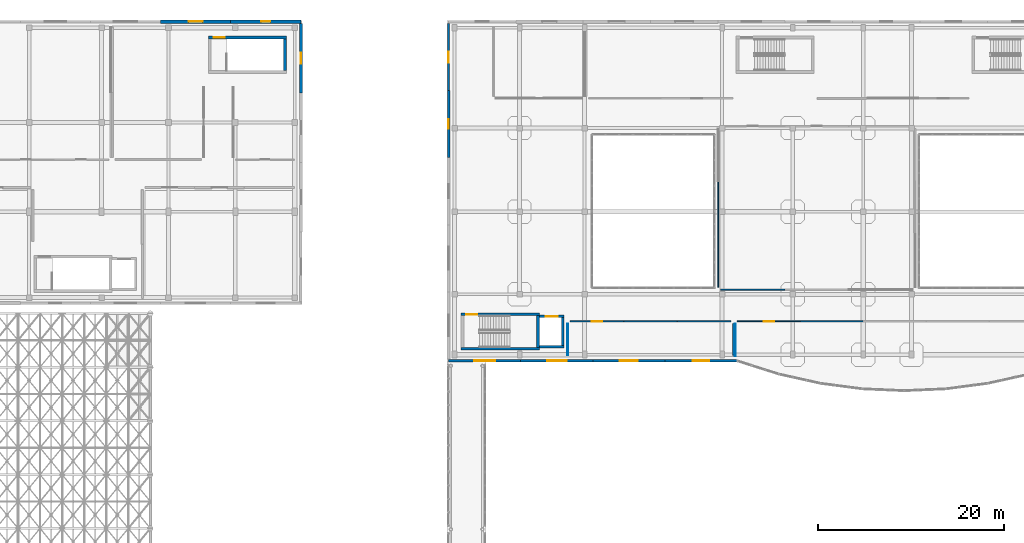
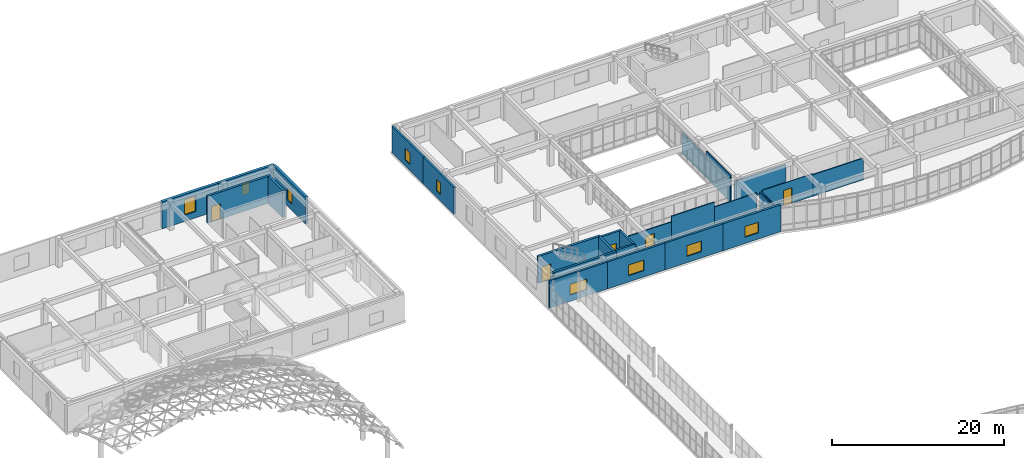
# One storey, part 136 of 146: 28 walls, 9 windows, 5 doors, 14 openings.
"""IFC4 building model written with IfcOpenShell, lengths in metres."""

import ifcopenshell
import ifcopenshell.guid

model = None  # the IFC model being written
_history = None  # IfcOwnerHistory: only IFC2X3 demands one
_inside = {}  # id of a spatial element -> (the spatial element, [elements in it])
_under = {}  # id of a project, library or spatial element -> (it, [spatial elements below it])
_declared = {}  # id of a project -> (the project, [libraries it declares])
_typed = {}  # id of a type object -> (the type object, [elements of that type])
_made_of = {}  # id of a material, layer set ... -> (it, [elements and type objects made of it])


def new_model(schema):
    """Start an empty IFC model of exactly this schema.

    Asked for "IFC4X3", IfcOpenShell would pick the latest addendum, in which some entities
    have other attributes; the version numbers below select the first issue.
    IFC2X3 requires an IfcOwnerHistory on every rooted entity: one is made here for all.
    """
    global model, _history
    if schema == "IFC4X3":
        model = ifcopenshell.file(schema_version=(4, 3, 0, 0))
    else:
        model = ifcopenshell.file(schema=schema)
    _inside.clear()
    _under.clear()
    _declared.clear()
    _typed.clear()
    _made_of.clear()
    _history = None
    if model.schema == "IFC2X3":
        org = make("IfcOrganization", Name="unknown")
        user = make(
            "IfcPersonAndOrganization",
            ThePerson=make("IfcPerson", FamilyName="unknown"),
            TheOrganization=org,
        )
        app = make(
            "IfcApplication",
            ApplicationDeveloper=org,
            Version="unknown",
            ApplicationFullName="unknown",
            ApplicationIdentifier="unknown",
        )
        _history = make(
            "IfcOwnerHistory",
            OwningUser=user,
            OwningApplication=app,
            ChangeAction="ADDED",
            CreationDate=0,
        )
    return model


def make(cls, **values):
    """One entity of the class cls with the attributes given. An attribute that is None is left unset."""
    return model.create_entity(
        cls, **{name: value for name, value in values.items() if value is not None}
    )


def rooted(cls, **values):
    """An entity with a GlobalId (a new one), such as an element, a storey or a relation."""
    return make(cls, GlobalId=ifcopenshell.guid.new(), OwnerHistory=_history, **values)


def si_unit(unit_type, name, prefix=None):
    """IfcSIUnit, for example si_unit("LENGTHUNIT", "METRE", prefix="MILLI")."""
    return make("IfcSIUnit", UnitType=unit_type, Prefix=prefix, Name=name)


def assignment(units):
    """IfcUnitAssignment: the units of a project."""
    return None if units is None else make("IfcUnitAssignment", Units=units)


def point(xyz):
    """IfcCartesianPoint."""
    return None if xyz is None else make("IfcCartesianPoint", Coordinates=xyz)


def direction(xyz):
    """IfcDirection."""
    return None if xyz is None else make("IfcDirection", DirectionRatios=xyz)


def frame(location, z_axis=None, x_axis=None):
    """IfcAxis2Placement3D, a coordinate frame: its origin and axes. An axis left out is left unset."""
    return make(
        "IfcAxis2Placement3D",
        Location=point(location),
        Axis=direction(z_axis),
        RefDirection=direction(x_axis),
    )


def frame_2d(location, x_axis=None):
    """IfcAxis2Placement2D, a coordinate frame in the plane: its origin and x axis."""
    return make(
        "IfcAxis2Placement2D", Location=point(location), RefDirection=direction(x_axis)
    )


def origin():
    """The frame at (0, 0, 0) with its axes left unset."""
    return frame((0.0, 0.0, 0.0))


def place(relative_to, where):
    """IfcLocalPlacement: puts the frame where relative to a parent placement (None: the world)."""
    return make(
        "IfcLocalPlacement", PlacementRelTo=relative_to, RelativePlacement=where
    )


def context(
    kind, dimensions, precision=None, world=None, true_north=None, identifier=None
):
    """IfcGeometricRepresentationContext, for example the 3D "Model" context."""
    return make(
        "IfcGeometricRepresentationContext",
        ContextIdentifier=identifier,
        ContextType=kind,
        CoordinateSpaceDimension=dimensions,
        Precision=precision,
        WorldCoordinateSystem=world,
        TrueNorth=true_north,
    )


def subcontext(parent, identifier, kind, view, scale=None):
    """IfcGeometricRepresentationSubContext, for example "Body" below "Model"."""
    return make(
        "IfcGeometricRepresentationSubContext",
        ContextIdentifier=identifier,
        ContextType=kind,
        ParentContext=parent,
        TargetScale=scale,
        TargetView=view,
    )


def project(units=None, contexts=None):
    """IfcProject with its units and contexts."""
    return rooted(
        "IfcProject",
        Name="project",
        RepresentationContexts=contexts,
        UnitsInContext=assignment(units),
    )


def spatial(cls, under=None, at=None, **own):
    """A site, building, storey or space (cls), placed at a placement, below another one or the project."""
    s = rooted(cls, ObjectPlacement=at, **own)
    if under is not None:
        _under.setdefault(under.id(), (under, []))[1].append(s)
    return s


def profile(cls, at=None, kind="AREA", **sizes):
    """A parametric profile (cls). Its sizes go by their IFC names, for example OverallWidth=200.0."""
    return make(cls, ProfileType=kind, Position=at, **sizes)


def rectangle(**sizes):
    """IfcRectangleProfileDef."""
    return profile("IfcRectangleProfileDef", **sizes)


def extrude(swept, where, along, depth):
    """IfcExtrudedAreaSolid: the profile swept, set in the frame where, extruded along a direction by depth."""
    return make(
        "IfcExtrudedAreaSolid",
        SweptArea=swept,
        Position=where,
        ExtrudedDirection=direction(along),
        Depth=depth,
    )


def shape(context_of_items, identifier, shape_type, items):
    """IfcShapeRepresentation: the items that make up one representation, for example the "Body"."""
    return make(
        "IfcShapeRepresentation",
        ContextOfItems=context_of_items,
        RepresentationIdentifier=identifier,
        RepresentationType=shape_type,
        Items=items,
    )


def material(Name=None, Category=None):
    """IfcMaterial."""
    return make("IfcMaterial", Name=Name, Category=Category)


def layer(
    of_material, thickness, ventilated=None, Name=None, Category=None, Priority=None
):
    """IfcMaterialLayer: one layer of a wall or slab, of a material (None: an air gap)."""
    return make(
        "IfcMaterialLayer",
        Material=of_material,
        LayerThickness=thickness,
        IsVentilated=ventilated,
        Name=Name,
        Category=Category,
        Priority=Priority,
    )


def layer_set(layers, Name=None):
    """IfcMaterialLayerSet."""
    return make("IfcMaterialLayerSet", MaterialLayers=layers, LayerSetName=Name)


def made_of(thing, what):
    """Note that an element or type object is made of a material, layer set ...; save() writes the relation."""
    if what is not None:
        _made_of.setdefault(what.id(), (what, []))[1].append(thing)
    return thing


def type_object(cls, material=None, **own):
    """A type object (cls), such as IfcWallType, which elements share."""
    return made_of(rooted(cls, **own), material)


def element(
    cls,
    number,
    at=None,
    inside=None,
    cuts=None,
    type_object=None,
    material=None,
    context=None,
    identifier="Body",
    shape_type=None,
    held_by="IfcProductDefinitionShape",
    body=None,
    shapes=None,
    **own,
):
    """One element of the class cls, such as IfcWall. Its Tag is "e" and its number.

    at: its placement. inside: the storey or other place that contains it. cuts: it is an
    opening in that element (IfcRelVoidsElement). A single representation is given by context,
    identifier, shape_type and body (its items); several are given by shapes. held_by: the class
    of the entity that holds the representations. save() writes the other relations.
    """
    e = rooted(cls, Tag="e%d" % number, ObjectPlacement=at, **own)
    if body is not None:
        shapes = [shape(context, identifier, shape_type, body)]
    if shapes is not None:
        e.Representation = make(held_by, Representations=shapes)
    if inside is not None:
        _inside.setdefault(inside.id(), (inside, []))[1].append(e)
    if cuts is not None:
        rooted(
            "IfcRelVoidsElement", RelatingBuildingElement=cuts, RelatedOpeningElement=e
        )
    if type_object is not None:
        _typed.setdefault(type_object.id(), (type_object, []))[1].append(e)
    return made_of(e, material)


def fill(opening, filler):
    """IfcRelFillsElement: the door or window that sits in an opening."""
    return rooted(
        "IfcRelFillsElement",
        RelatingOpeningElement=opening,
        RelatedBuildingElement=filler,
    )


def aggregate(whole, parts):
    """IfcRelAggregates: a whole, such as a stair, and the parts it consists of."""
    return rooted("IfcRelAggregates", RelatingObject=whole, RelatedObjects=parts)


def save(model, path):
    """Write the relations noted so far, then the file.

    IfcRelAggregates (storeys below a building ...), IfcRelContainedInSpatialStructure (elements
    in a storey), IfcRelDefinesByType, IfcRelAssociatesMaterial and IfcRelDeclares: one each for
    every whole, place, type object, material and project.
    """
    for whole, parts in _under.values():
        aggregate(whole, parts)
    for where, things in _inside.values():
        rooted(
            "IfcRelContainedInSpatialStructure",
            RelatedElements=things,
            RelatingStructure=where,
        )
    for kind, things in _typed.values():
        rooted("IfcRelDefinesByType", RelatedObjects=things, RelatingType=kind)
    for what, things in _made_of.values():
        rooted("IfcRelAssociatesMaterial", RelatedObjects=things, RelatingMaterial=what)
    for by, libraries in _declared.values():
        rooted("IfcRelDeclares", RelatingContext=by, RelatedDefinitions=libraries)
    model.write(path)


model = new_model("IFC4")

# Units and contexts
model_context = context("Model", 3, precision=1e-05, world=origin(), true_north=direction((0.0, 1.0)))
body_context = subcontext(model_context, "Body", "Model", "MODEL_VIEW")
ifc_project = project(units=[si_unit("LENGTHUNIT", "METRE"), si_unit("AREAUNIT", "SQUARE_METRE"), si_unit("VOLUMEUNIT", "CUBIC_METRE"), si_unit("PLANEANGLEUNIT", "RADIAN"), si_unit("MASSUNIT", "GRAM", prefix="KILO")], contexts=[model_context])

# Site, building, storey
site_placement = place(None, origin())
site = spatial("IfcSite", under=ifc_project, at=site_placement, CompositionType="ELEMENT")
building_placement = place(site_placement, origin())
building = spatial("IfcBuilding", under=site, at=building_placement, Name="Valcora Specialist Clinic", CompositionType="ELEMENT")
storey_placement = place(building_placement, frame((0.0, 0.0, 9.52001953125)))
storey = spatial("IfcBuildingStorey", under=building, at=storey_placement, Name="L02", CompositionType="ELEMENT", Elevation=9.52001953125)

# Wall, opening, door
ifc_material_1 = material(Name="Concrete C40/50", Category="concrete")
ifc_layer_1 = layer(ifc_material_1, 0.300048828125)
ifc_layer_set_1 = layer_set([ifc_layer_1], Name="Concrete C40/50")
wall_type_1 = type_object("IfcWallType", Name="TY-WL-CR300", PredefinedType="SHEAR", material=ifc_layer_set_1)
wall_1_placement = place(storey_placement, frame((35.5, 108.949951171875, 0.0), z_axis=(0.0, 0.0, 1.0), x_axis=(1.0, 0.0, 0.0)))
wall_1 = element("IfcWall", 1, at=wall_1_placement, inside=storey, type_object=wall_type_1, Name="Core shear wall WL-CR-C-V2B-L02-N", PredefinedType="SHEAR", context=body_context, shape_type="SweptSolid", body=[
    extrude(rectangle(XDim=8.419921875, YDim=0.300048828125, at=frame_2d((4.2099609375, 0.0))), origin(), (0.0, 0.0, 1.0), 3.843017578125),
])
opening_1_placement = place(wall_1_placement, frame((0.550048828125, 0.0, 0.0)))
opening_1 = element("IfcOpeningElement", 2, at=opening_1_placement, cuts=wall_1, Name="Opening DR-FD-120", PredefinedType="OPENING", context=body_context, shape_type="SweptSolid", body=[
    extrude(rectangle(XDim=1.199951171875, YDim=2.199951171875, at=frame_2d((0.60009765625, 1.10009765625))), frame((0.0, 0.159912109375, 0.0), z_axis=(0.0, -1.0, 0.0), x_axis=(1.0, 0.0, 0.0)), (0.0, 0.0, 1.0), 0.320068359375),
])
ifc_material_2 = material(Name="Galvanized Hollow Metal Door Steel ASTM A653", Category="steel")
door_type_1 = type_object("IfcDoorType", Name="TY-DR-ST120", OperationType="NOTDEFINED", PredefinedType="DOOR", material=ifc_material_2)
door_1_placement = place(opening_1_placement, origin())
door_1 = element("IfcDoor", 3, at=door_1_placement, inside=storey, type_object=door_type_1, Name="Exit stair fire door C-V2B L02", OperationType="SINGLE_SWING_RIGHT", OverallHeight=2.199951171875, OverallWidth=1.199951171875, PredefinedType="DOOR", context=body_context, shape_type="SweptSolid", body=[
    extrude(rectangle(XDim=1.199951171875, YDim=2.199951171875, at=frame_2d((0.60009765625, 1.10009765625))), frame((0.0, 0.02490234375, 0.0), z_axis=(0.0, -1.0, 0.0), x_axis=(1.0, 0.0, 0.0)), (0.0, 0.0, 1.0), 0.050048828125),
])
fill(opening_1, door_1)

# Wall
wall_2_placement = place(storey_placement, frame((62.699951171875, 75.449951171875, 0.0), z_axis=(0.0, 0.0, 1.0), x_axis=(1.0, 0.0, 0.0)))
element("IfcWall", 4, at=wall_2_placement, inside=storey, type_object=wall_type_1, Name="Core shear wall WL-CR-C-V4A-L02-S", PredefinedType="SHEAR", context=body_context, shape_type="SweptSolid", body=[
    extrude(rectangle(XDim=8.420166015625, YDim=0.300048828125, at=frame_2d((4.2099609375, 0.0))), origin(), (0.0, 0.0, 1.0), 3.820068359375),
])

# Wall, opening, door
wall_3_placement = place(storey_placement, frame((62.699951171875, 79.14990234375, 0.0), z_axis=(0.0, 0.0, 1.0), x_axis=(1.0, 0.0, 0.0)))
wall_3 = element("IfcWall", 5, at=wall_3_placement, inside=storey, type_object=wall_type_1, Name="Core shear wall WL-CR-C-V4A-L02-N", PredefinedType="SHEAR", context=body_context, shape_type="SweptSolid", body=[
    extrude(rectangle(XDim=8.420166015625, YDim=0.300048828125, at=frame_2d((4.2099609375, 0.0))), origin(), (0.0, 0.0, 1.0), 3.820068359375),
])
opening_2_placement = place(wall_3_placement, frame((0.550048828125, 0.0, 0.0)))
opening_2 = element("IfcOpeningElement", 6, at=opening_2_placement, cuts=wall_3, Name="Opening DR-FD-120", PredefinedType="OPENING", context=body_context, shape_type="SweptSolid", body=[
    extrude(rectangle(XDim=1.199951171875, YDim=2.199951171875, at=frame_2d((0.60009765625, 1.10009765625))), frame((0.0, 0.159912109375, 0.0), z_axis=(0.0, -1.0, 0.0), x_axis=(1.0, 0.0, 0.0)), (0.0, 0.0, 1.0), 0.320068359375),
])
door_2_placement = place(opening_2_placement, origin())
door_2 = element("IfcDoor", 7, at=door_2_placement, inside=storey, type_object=door_type_1, Name="Exit stair fire door C-V4A L02", OperationType="SINGLE_SWING_LEFT", OverallHeight=2.199951171875, OverallWidth=1.199951171875, PredefinedType="DOOR", context=body_context, shape_type="SweptSolid", body=[
    extrude(rectangle(XDim=1.199951171875, YDim=2.199951171875, at=frame_2d((0.60009765625, 1.10009765625))), frame((0.0, 0.02490234375, 0.0), z_axis=(0.0, -1.0, 0.0), x_axis=(1.0, 0.0, 0.0)), (0.0, 0.0, 1.0), 0.050048828125),
])
fill(opening_2, door_2)

# Walls
ifc_layer_2 = layer(ifc_material_1, 0.320068359375)
ifc_layer_set_2 = layer_set([ifc_layer_2], Name="Concrete C40/50")
wall_type_2 = type_object("IfcWallType", Name="TY-WL-CR320", PredefinedType="SHEAR", material=ifc_layer_set_2)
wall_4_placement = place(storey_placement, frame((43.760009765625, 105.402099609375, 0.0), z_axis=(0.0, 0.0, 1.0), x_axis=(0.0, 1.0, 0.0)))
element("IfcWall", 8, at=wall_4_placement, inside=storey, type_object=wall_type_2, Name="Core shear wall WL-CR-C-V2B-L02-E", PredefinedType="SHEAR", context=body_context, shape_type="SweptSolid", body=[
    extrude(rectangle(XDim=3.39599609375, YDim=0.320068359375, at=frame_2d((1.697998046875, 0.0))), origin(), (0.0, 0.0, 1.0), 3.843017578125),
])
wall_5_placement = place(storey_placement, frame((70.9599609375, 75.60205078125, 0.0), z_axis=(0.0, 0.0, 1.0), x_axis=(0.0, 1.0, 0.0)))
element("IfcWall", 9, at=wall_5_placement, inside=storey, type_object=wall_type_2, Name="Core shear wall WL-CR-C-V4A-L02-E", PredefinedType="SHEAR", context=body_context, shape_type="SweptSolid", body=[
    extrude(rectangle(XDim=3.39599609375, YDim=0.320068359375, at=frame_2d((1.697998046875, 0.0))), origin(), (0.0, 0.0, 1.0), 3.820068359375),
])

# Wall, opening, window
ifc_material_3 = material(Name="Extruded Jalisco Clay Brick Masonry", Category="masonry")
ifc_layer_3 = layer(ifc_material_3, 0.25)
ifc_layer_set_3 = layer_set([ifc_layer_3], Name="Extruded Jalisco Clay Brick Masonry")
wall_type_3 = type_object("IfcWallType", Name="TY-WL-EW250", PredefinedType="SOLIDWALL", material=ifc_layer_set_3)
wall_6_placement = place(storey_placement, frame((61.35009765625, 103.236083984375, 0.0), z_axis=(0.0, 0.0, 1.0), x_axis=(0.0, 1.0, 0.0)))
wall_6 = element("IfcWall", 10, at=wall_6_placement, inside=storey, type_object=wall_type_3, Name="Exterior wall WL-EXT-L02-0179", PredefinedType="SOLIDWALL", context=body_context, shape_type="SweptSolid", body=[
    extrude(rectangle(XDim=7.223876953125, YDim=0.25, at=frame_2d((3.61181640625, 0.0))), origin(), (0.0, 0.0, 1.0), 3.820068359375),
])
opening_3_placement = place(wall_6_placement, frame((3.02197265625, 0.0, 0.89990234375)))
opening_3 = element("IfcOpeningElement", 11, at=opening_3_placement, cuts=wall_6, Name="Opening WN-32", PredefinedType="OPENING", context=body_context, shape_type="SweptSolid", body=[
    extrude(rectangle(XDim=1.179931640625, YDim=1.6201171875, at=frame_2d((0.58984375, 0.81005859375))), frame((0.0, 0.135009765625, 0.0), z_axis=(0.0, -1.0, 0.0), x_axis=(1.0, 0.0, 0.0)), (0.0, 0.0, 1.0), 0.27001953125),
])
ifc_material_4 = material(Name="Low-E Laminated Insulating Glass", Category="glass")
window_type_1 = type_object("IfcWindowType", Name="TY-WN-32", PartitioningType="SINGLE_PANEL", PredefinedType="WINDOW", material=ifc_material_4)
window_1_placement = place(opening_3_placement, origin())
window_1 = element("IfcWindow", 12, at=window_1_placement, inside=storey, type_object=window_type_1, Name="Facade window WN-L02-0158", OverallHeight=1.6201171875, OverallWidth=1.179931640625, PartitioningType="SINGLE_PANEL", PredefinedType="WINDOW", context=body_context, shape_type="SweptSolid", body=[
    extrude(rectangle(XDim=1.179931640625, YDim=1.6201171875, at=frame_2d((0.58984375, 0.81005859375))), frame((0.0, 0.030029296875, 0.0), z_axis=(0.0, -1.0, 0.0), x_axis=(1.0, 0.0, 0.0)), (0.0, 0.0, 1.0), 0.06005859375),
])
fill(opening_3, window_1)

wall_7_placement = place(storey_placement, frame((69.118408203125, 74.14990234375, 0.0), z_axis=(0.0, 0.0, 1.0), x_axis=(-1.0, 0.0, 0.0)))
wall_7 = element("IfcWall", 13, at=wall_7_placement, inside=storey, type_object=wall_type_3, Name="Exterior wall WL-EXT-L02-0199", PredefinedType="SOLIDWALL", context=body_context, shape_type="SweptSolid", body=[
    extrude(rectangle(XDim=7.768310546875, YDim=0.25, at=frame_2d((3.88427734375, 0.0))), origin(), (0.0, 0.0, 1.0), 3.820068359375),
])
opening_4_placement = place(wall_7_placement, frame((2.759033203125, 0.0, 0.89990234375)))
opening_4 = element("IfcOpeningElement", 14, at=opening_4_placement, cuts=wall_7, Name="Opening WN-10", PredefinedType="OPENING", context=body_context, shape_type="SweptSolid", body=[
    extrude(rectangle(XDim=2.25, YDim=1.5, at=frame_2d((1.125, 0.75))), frame((0.0, 0.135009765625, 0.0), z_axis=(0.0, -1.0, 0.0), x_axis=(1.0, 0.0, 0.0)), (0.0, 0.0, 1.0), 0.27001953125),
])
window_type_2 = type_object("IfcWindowType", Name="TY-WN-10", PartitioningType="SINGLE_PANEL", PredefinedType="WINDOW", material=ifc_material_4)
window_2_placement = place(opening_4_placement, origin())
window_2 = element("IfcWindow", 15, at=window_2_placement, inside=storey, type_object=window_type_2, Name="Facade window WN-L02-0178", OverallHeight=1.5, OverallWidth=2.25, PartitioningType="SINGLE_PANEL", PredefinedType="WINDOW", context=body_context, shape_type="SweptSolid", body=[
    extrude(rectangle(XDim=2.25, YDim=1.5, at=frame_2d((1.125, 0.75))), frame((0.0, 0.030029296875, 0.0), z_axis=(0.0, -1.0, 0.0), x_axis=(1.0, 0.0, 0.0)), (0.0, 0.0, 1.0), 0.06005859375),
])
fill(opening_4, window_2)

ifc_layer_4 = layer(ifc_material_3, 0.264892578125)
ifc_layer_set_4 = layer_set([ifc_layer_4], Name="Extruded Jalisco Clay Brick Masonry")
wall_type_4 = type_object("IfcWallType", Name="TY-WL-EW265", PredefinedType="SOLIDWALL", material=ifc_layer_set_4)
wall_8_placement = place(storey_placement, frame((61.35009765625, 96.011962890625, 0.0), z_axis=(0.0, 0.0, 1.0), x_axis=(0.0, 1.0, 0.0)))
wall_8 = element("IfcWall", 16, at=wall_8_placement, inside=storey, type_object=wall_type_4, Name="Exterior wall WL-EXT-L02-0178", PredefinedType="SOLIDWALL", context=body_context, shape_type="SweptSolid", body=[
    extrude(rectangle(XDim=7.22412109375, YDim=0.264892578125, at=frame_2d((3.612060546875, 0.0))), origin(), (0.0, 0.0, 1.0), 3.820068359375),
])
opening_5_placement = place(wall_8_placement, frame((3.112060546875, 0.0, 0.89990234375)))
opening_5 = element("IfcOpeningElement", 17, at=opening_5_placement, cuts=wall_8, Name="Opening WN-31", PredefinedType="OPENING", context=body_context, shape_type="SweptSolid", body=[
    extrude(rectangle(XDim=1.0, YDim=1.6201171875, at=frame_2d((0.5, 0.81005859375))), frame((0.0, 0.142333984375, 0.0), z_axis=(0.0, -1.0, 0.0), x_axis=(1.0, 0.0, 0.0)), (0.0, 0.0, 1.0), 0.284912109375),
])
window_type_3 = type_object("IfcWindowType", Name="TY-WN-31", PartitioningType="SINGLE_PANEL", PredefinedType="WINDOW", material=ifc_material_4)
window_3_placement = place(opening_5_placement, origin())
window_3 = element("IfcWindow", 18, at=window_3_placement, inside=storey, type_object=window_type_3, Name="Facade window WN-L02-0157", OverallHeight=1.6201171875, OverallWidth=1.0, PartitioningType="SINGLE_PANEL", PredefinedType="WINDOW", context=body_context, shape_type="SweptSolid", body=[
    extrude(rectangle(XDim=1.0, YDim=1.6201171875, at=frame_2d((0.5, 0.81005859375))), frame((0.0, 0.030029296875, 0.0), z_axis=(0.0, -1.0, 0.0), x_axis=(1.0, 0.0, 0.0)), (0.0, 0.0, 1.0), 0.06005859375),
])
fill(opening_5, window_3)

wall_9_placement = place(storey_placement, frame((76.88671875, 74.14990234375, 0.0), z_axis=(0.0, 0.0, 1.0), x_axis=(-1.0, 0.0, 0.0)))
wall_9 = element("IfcWall", 19, at=wall_9_placement, inside=storey, type_object=wall_type_4, Name="Exterior wall WL-EXT-L02-0198", PredefinedType="SOLIDWALL", context=body_context, shape_type="SweptSolid", body=[
    extrude(rectangle(XDim=7.768310546875, YDim=0.264892578125, at=frame_2d((3.88427734375, 0.0))), origin(), (0.0, 0.0, 1.0), 3.820068359375),
])
opening_6_placement = place(wall_9_placement, frame((2.833984375, 0.0, 0.89990234375)))
opening_6 = element("IfcOpeningElement", 20, at=opening_6_placement, cuts=wall_9, Name="Opening WN-09", PredefinedType="OPENING", context=body_context, shape_type="SweptSolid", body=[
    extrude(rectangle(XDim=2.10009765625, YDim=1.5, at=frame_2d((1.050048828125, 0.75))), frame((0.0, 0.142333984375, 0.0), z_axis=(0.0, -1.0, 0.0), x_axis=(1.0, 0.0, 0.0)), (0.0, 0.0, 1.0), 0.284912109375),
])
window_type_4 = type_object("IfcWindowType", Name="TY-WN-09", PartitioningType="SINGLE_PANEL", PredefinedType="WINDOW", material=ifc_material_4)
window_4_placement = place(opening_6_placement, origin())
window_4 = element("IfcWindow", 21, at=window_4_placement, inside=storey, type_object=window_type_4, Name="Facade window WN-L02-0177", OverallHeight=1.5, OverallWidth=2.10009765625, PartitioningType="SINGLE_PANEL", PredefinedType="WINDOW", context=body_context, shape_type="SweptSolid", body=[
    extrude(rectangle(XDim=2.10009765625, YDim=1.5, at=frame_2d((1.050048828125, 0.75))), frame((0.0, 0.030029296875, 0.0), z_axis=(0.0, -1.0, 0.0), x_axis=(1.0, 0.0, 0.0)), (0.0, 0.0, 1.0), 0.06005859375),
])
fill(opening_6, window_4)

ifc_layer_5 = layer(ifc_material_3, 0.280029296875)
ifc_layer_set_5 = layer_set([ifc_layer_5], Name="Extruded Jalisco Clay Brick Masonry")
wall_type_5 = type_object("IfcWallType", Name="TY-WL-EW280", PredefinedType="SOLIDWALL", material=ifc_layer_set_5)
wall_10_placement = place(storey_placement, frame((84.655029296875, 74.14990234375, 0.0), z_axis=(0.0, 0.0, 1.0), x_axis=(-1.0, 0.0, 0.0)))
wall_10 = element("IfcWall", 22, at=wall_10_placement, inside=storey, type_object=wall_type_5, Name="Exterior wall WL-EXT-L02-0197", PredefinedType="SOLIDWALL", context=body_context, shape_type="SweptSolid", body=[
    extrude(rectangle(XDim=7.768310546875, YDim=0.280029296875, at=frame_2d((3.88427734375, 0.0))), origin(), (0.0, 0.0, 1.0), 3.820068359375),
])
opening_7_placement = place(wall_10_placement, frame((2.908935546875, 0.0, 0.89990234375)))
opening_7 = element("IfcOpeningElement", 23, at=opening_7_placement, cuts=wall_10, Name="Opening WN-08", PredefinedType="OPENING", context=body_context, shape_type="SweptSolid", body=[
    extrude(rectangle(XDim=1.949951171875, YDim=1.5, at=frame_2d((0.97509765625, 0.75))), frame((0.0, 0.14990234375, 0.0), z_axis=(0.0, -1.0, 0.0), x_axis=(1.0, 0.0, 0.0)), (0.0, 0.0, 1.0), 0.300048828125),
])
window_type_5 = type_object("IfcWindowType", Name="TY-WN-08", PartitioningType="SINGLE_PANEL", PredefinedType="WINDOW", material=ifc_material_4)
window_5_placement = place(opening_7_placement, origin())
window_5 = element("IfcWindow", 24, at=window_5_placement, inside=storey, type_object=window_type_5, Name="Facade window WN-L02-0176", OverallHeight=1.5, OverallWidth=1.949951171875, PartitioningType="SINGLE_PANEL", PredefinedType="WINDOW", context=body_context, shape_type="SweptSolid", body=[
    extrude(rectangle(XDim=1.949951171875, YDim=1.5, at=frame_2d((0.97509765625, 0.75))), frame((0.0, 0.030029296875, 0.0), z_axis=(0.0, -1.0, 0.0), x_axis=(1.0, 0.0, 0.0)), (0.0, 0.0, 1.0), 0.06005859375),
])
fill(opening_7, window_5)

ifc_layer_6 = layer(ifc_material_3, 0.294921875)
ifc_layer_set_6 = layer_set([ifc_layer_6], Name="Extruded Jalisco Clay Brick Masonry")
wall_type_6 = type_object("IfcWallType", Name="TY-WL-EW295", PredefinedType="SOLIDWALL", material=ifc_layer_set_6)
wall_11_placement = place(storey_placement, frame((92.42333984375, 74.14990234375, 0.0), z_axis=(0.0, 0.0, 1.0), x_axis=(-1.0, 0.0, 0.0)))
wall_11 = element("IfcWall", 25, at=wall_11_placement, inside=storey, type_object=wall_type_6, Name="Exterior wall WL-EXT-L02-0196", PredefinedType="SOLIDWALL", context=body_context, shape_type="SweptSolid", body=[
    extrude(rectangle(XDim=7.768310546875, YDim=0.294921875, at=frame_2d((3.88427734375, 0.0))), origin(), (0.0, 0.0, 1.0), 3.820068359375),
])
opening_8_placement = place(wall_11_placement, frame((2.98388671875, 0.0, 0.89990234375)))
opening_8 = element("IfcOpeningElement", 26, at=opening_8_placement, cuts=wall_11, Name="Opening WN-07", PredefinedType="OPENING", context=body_context, shape_type="SweptSolid", body=[
    extrude(rectangle(XDim=1.800048828125, YDim=1.5, at=frame_2d((0.89990234375, 0.75))), frame((0.0, 0.157470703125, 0.0), z_axis=(0.0, -1.0, 0.0), x_axis=(1.0, 0.0, 0.0)), (0.0, 0.0, 1.0), 0.31494140625),
])
window_type_6 = type_object("IfcWindowType", Name="TY-WN-07", PartitioningType="SINGLE_PANEL", PredefinedType="WINDOW", material=ifc_material_4)
window_6_placement = place(opening_8_placement, origin())
window_6 = element("IfcWindow", 27, at=window_6_placement, inside=storey, type_object=window_type_6, Name="Facade window WN-L02-0175", OverallHeight=1.5, OverallWidth=1.800048828125, PartitioningType="SINGLE_PANEL", PredefinedType="WINDOW", context=body_context, shape_type="SweptSolid", body=[
    extrude(rectangle(XDim=1.800048828125, YDim=1.5, at=frame_2d((0.89990234375, 0.75))), frame((0.0, 0.030029296875, 0.0), z_axis=(0.0, -1.0, 0.0), x_axis=(1.0, 0.0, 0.0)), (0.0, 0.0, 1.0), 0.06005859375),
])
fill(opening_8, window_6)

ifc_layer_7 = layer(ifc_material_3, 0.340087890625)
ifc_layer_set_7 = layer_set([ifc_layer_7], Name="Extruded Jalisco Clay Brick Masonry")
wall_type_7 = type_object("IfcWallType", Name="TY-WL-EW340", PredefinedType="SOLIDWALL", material=ifc_layer_set_7)
wall_12_placement = place(storey_placement, frame((45.449951171875, 110.4599609375, 0.0), z_axis=(0.0, 0.0, 1.0), x_axis=(0.0, -1.0, 0.0)))
wall_12 = element("IfcWall", 28, at=wall_12_placement, inside=storey, type_object=wall_type_7, Name="Exterior wall WL-EXT-L02-0093", PredefinedType="SOLIDWALL", context=body_context, shape_type="SweptSolid", body=[
    extrude(rectangle(XDim=7.47998046875, YDim=0.340087890625, at=frame_2d((3.739990234375, 0.0))), origin(), (0.0, 0.0, 1.0), 3.843017578125),
])
opening_9_placement = place(wall_12_placement, frame((3.14990234375, 0.0, 0.89990234375)))
opening_9 = element("IfcOpeningElement", 29, at=opening_9_placement, cuts=wall_12, Name="Opening WN-32", PredefinedType="OPENING", context=body_context, shape_type="SweptSolid", body=[
    extrude(rectangle(XDim=1.179931640625, YDim=1.6201171875, at=frame_2d((0.58984375, 0.81005859375))), frame((0.0, 0.179931640625, 0.0), z_axis=(0.0, -1.0, 0.0), x_axis=(1.0, 0.0, 0.0)), (0.0, 0.0, 1.0), 0.360107421875),
])
window_7_placement = place(opening_9_placement, origin())
window_7 = element("IfcWindow", 30, at=window_7_placement, inside=storey, type_object=window_type_1, Name="Facade window WN-L02-0074", OverallHeight=1.6201171875, OverallWidth=1.179931640625, PartitioningType="SINGLE_PANEL", PredefinedType="WINDOW", context=body_context, shape_type="SweptSolid", body=[
    extrude(rectangle(XDim=1.179931640625, YDim=1.6201171875, at=frame_2d((0.58984375, 0.81005859375))), frame((0.0, 0.030029296875, 0.0), z_axis=(0.0, -1.0, 0.0), x_axis=(1.0, 0.0, 0.0)), (0.0, 0.0, 1.0), 0.06005859375),
])
fill(opening_9, window_7)

ifc_layer_8 = layer(ifc_material_3, 0.35498046875)
ifc_layer_set_8 = layer_set([ifc_layer_8], Name="Extruded Jalisco Clay Brick Masonry")
wall_type_8 = type_object("IfcWallType", Name="TY-WL-EW355", PredefinedType="SOLIDWALL", material=ifc_layer_set_8)
wall_13_placement = place(storey_placement, frame((37.89990234375, 110.64990234375, 0.0), z_axis=(0.0, 0.0, 1.0), x_axis=(1.0, 0.0, 0.0)))
wall_13 = element("IfcWall", 31, at=wall_13_placement, inside=storey, type_object=wall_type_8, Name="Exterior wall WL-EXT-L02-0092", PredefinedType="SOLIDWALL", context=body_context, shape_type="SweptSolid", body=[
    extrude(rectangle(XDim=7.550048828125, YDim=0.35498046875, at=frame_2d((3.77490234375, 0.0))), origin(), (0.0, 0.0, 1.0), 3.843017578125),
])
opening_10_placement = place(wall_13_placement, frame((3.27490234375, 0.0, 0.89990234375)))
opening_10 = element("IfcOpeningElement", 32, at=opening_10_placement, cuts=wall_13, Name="Opening WN-31", PredefinedType="OPENING", context=body_context, shape_type="SweptSolid", body=[
    extrude(rectangle(XDim=1.0, YDim=1.6201171875, at=frame_2d((0.5, 0.81005859375))), frame((0.0, 0.1875, 0.0), z_axis=(0.0, -1.0, 0.0), x_axis=(1.0, 0.0, 0.0)), (0.0, 0.0, 1.0), 0.375),
])
window_8_placement = place(opening_10_placement, origin())
window_8 = element("IfcWindow", 33, at=window_8_placement, inside=storey, type_object=window_type_3, Name="Facade window WN-L02-0073", OverallHeight=1.6201171875, OverallWidth=1.0, PartitioningType="SINGLE_PANEL", PredefinedType="WINDOW", context=body_context, shape_type="SweptSolid", body=[
    extrude(rectangle(XDim=1.0, YDim=1.6201171875, at=frame_2d((0.5, 0.81005859375))), frame((0.0, 0.030029296875, 0.0), z_axis=(0.0, -1.0, 0.0), x_axis=(1.0, 0.0, 0.0)), (0.0, 0.0, 1.0), 0.06005859375),
])
fill(opening_10, window_8)

ifc_layer_9 = layer(ifc_material_3, 0.3701171875)
ifc_layer_set_9 = layer_set([ifc_layer_9], Name="Extruded Jalisco Clay Brick Masonry")
wall_type_9 = type_object("IfcWallType", Name="TY-WL-EW370", PredefinedType="SOLIDWALL", material=ifc_layer_set_9)
wall_14_placement = place(storey_placement, frame((30.35009765625, 110.64990234375, 0.0), z_axis=(0.0, 0.0, 1.0), x_axis=(1.0, 0.0, 0.0)))
wall_14 = element("IfcWall", 34, at=wall_14_placement, inside=storey, type_object=wall_type_9, Name="Exterior wall WL-EXT-L02-0091", PredefinedType="SOLIDWALL", context=body_context, shape_type="SweptSolid", body=[
    extrude(rectangle(XDim=7.5498046875, YDim=0.3701171875, at=frame_2d((3.77490234375, 0.0))), origin(), (0.0, 0.0, 1.0), 3.843017578125),
])
opening_11_placement = place(wall_14_placement, frame((3.02490234375, 0.0, 0.89990234375)))
opening_11 = element("IfcOpeningElement", 35, at=opening_11_placement, cuts=wall_14, Name="Opening WN-30", PredefinedType="OPENING", context=body_context, shape_type="SweptSolid", body=[
    extrude(rectangle(XDim=1.5, YDim=2.199951171875, at=frame_2d((0.75, 1.10009765625))), frame((0.0, 0.195068359375, 0.0), z_axis=(0.0, -1.0, 0.0), x_axis=(1.0, 0.0, 0.0)), (0.0, 0.0, 1.0), 0.39013671875),
])
window_type_7 = type_object("IfcWindowType", Name="TY-WN-30", PartitioningType="SINGLE_PANEL", PredefinedType="WINDOW", material=ifc_material_4)
window_9_placement = place(opening_11_placement, origin())
window_9 = element("IfcWindow", 36, at=window_9_placement, inside=storey, type_object=window_type_7, Name="Facade window WN-L02-0072", OverallHeight=2.199951171875, OverallWidth=1.5, PartitioningType="SINGLE_PANEL", PredefinedType="WINDOW", context=body_context, shape_type="SweptSolid", body=[
    extrude(rectangle(XDim=1.5, YDim=2.199951171875, at=frame_2d((0.75, 1.10009765625))), frame((0.0, 0.030029296875, 0.0), z_axis=(0.0, -1.0, 0.0), x_axis=(1.0, 0.0, 0.0)), (0.0, 0.0, 1.0), 0.06005859375),
])
fill(opening_11, window_9)

# Wall
ifc_material_5 = material(Name="Gypsum Board Partition Assembly")
ifc_layer_10 = layer(ifc_material_5, 0.094970703125)
ifc_layer_set_10 = layer_set([ifc_layer_10], Name="Gypsum Board Partition Assembly")
wall_type_10 = type_object("IfcWallType", Name="TY-WL-PT095", PredefinedType="PARTITIONING", material=ifc_layer_set_10)
wall_15_placement = place(storey_placement, frame((74.199951171875, 74.75, 0.0), z_axis=(0.0, 0.0, 1.0), x_axis=(0.0, 1.0, 0.0)))
element("IfcWall", 37, at=wall_15_placement, inside=storey, type_object=wall_type_10, Name="Interior partition WL-INT-L02-0299", PredefinedType="PARTITIONING", context=body_context, shape_type="SweptSolid", body=[
    extrude(rectangle(XDim=3.39990234375, YDim=0.094970703125, at=frame_2d((1.699951171875, 0.0))), origin(), (0.0, 0.0, 1.0), 3.02001953125),
])

# Wall, opening, door
wall_16_placement = place(storey_placement, frame((92.449951171875, 78.39990234375, 0.0), z_axis=(0.0, 0.0, 1.0), x_axis=(1.0, 0.0, 0.0)))
wall_16 = element("IfcWall", 38, at=wall_16_placement, inside=storey, type_object=wall_type_10, Name="Interior partition WL-INT-L02-0305", PredefinedType="PARTITIONING", context=body_context, shape_type="SweptSolid", body=[
    extrude(rectangle(XDim=6.782958984375, YDim=0.094970703125, at=frame_2d((3.3916015625, 0.0))), origin(), (0.0, 0.0, 1.0), 3.219970703125),
])
opening_12_placement = place(wall_16_placement, frame((2.822021484375, 0.0, 0.0)))
opening_12 = element("IfcOpeningElement", 39, at=opening_12_placement, cuts=wall_16, Name="Opening DR-CN-114", PredefinedType="OPENING", context=body_context, shape_type="SweptSolid", body=[
    extrude(rectangle(XDim=1.139892578125, YDim=2.199951171875, at=frame_2d((0.56982421875, 1.10009765625))), frame((0.0, 0.057373046875, 0.0), z_axis=(0.0, -1.0, 0.0), x_axis=(1.0, 0.0, 0.0)), (0.0, 0.0, 1.0), 0.114990234375),
])
ifc_material_6 = material(Name="Glulam Conifer Class 24F", Category="wood")
door_type_2 = type_object("IfcDoorType", Name="TY-DR-CN114", OperationType="NOTDEFINED", PredefinedType="DOOR", material=ifc_material_6)
door_3_placement = place(opening_12_placement, origin())
door_3 = element("IfcDoor", 40, at=door_3_placement, inside=storey, type_object=door_type_2, Name="Interior door DR-INT-L02-0087", OperationType="SINGLE_SWING_LEFT", OverallHeight=2.199951171875, OverallWidth=1.139892578125, PredefinedType="DOOR", context=body_context, shape_type="SweptSolid", body=[
    extrude(rectangle(XDim=1.139892578125, YDim=2.199951171875, at=frame_2d((0.56982421875, 1.10009765625))), frame((0.0, 0.02490234375, 0.0), z_axis=(0.0, -1.0, 0.0), x_axis=(1.0, 0.0, 0.0)), (0.0, 0.0, 1.0), 0.050048828125),
])
fill(opening_12, door_3)

# Walls
ifc_layer_11 = layer(ifc_material_5, 0.10498046875)
ifc_layer_set_11 = layer_set([ifc_layer_11], Name="Gypsum Board Partition Assembly")
wall_type_11 = type_object("IfcWallType", Name="TY-WL-PT105", PredefinedType="PARTITIONING", material=ifc_layer_set_11)
wall_17_placement = place(storey_placement, frame((92.199951171875, 74.610107421875, 0.0), z_axis=(0.0, 0.0, 1.0), x_axis=(0.0, 1.0, 0.0)))
element("IfcWall", 41, at=wall_17_placement, inside=storey, type_object=wall_type_11, Name="Interior partition WL-INT-L02-0304", PredefinedType="PARTITIONING", context=body_context, shape_type="SweptSolid", body=[
    extrude(rectangle(XDim=3.539794921875, YDim=0.10498046875, at=frame_2d((1.77001953125, 0.0))), origin(), (0.0, 0.0, 1.0), 3.219970703125),
])
ifc_layer_12 = layer(ifc_material_5, 0.114990234375)
ifc_layer_set_12 = layer_set([ifc_layer_12], Name="Gypsum Board Partition Assembly")
wall_type_12 = type_object("IfcWallType", Name="TY-WL-PT115", PredefinedType="PARTITIONING", material=ifc_layer_set_12)
wall_18_placement = place(storey_placement, frame((92.0, 78.14990234375, 0.0), z_axis=(0.0, 0.0, 1.0), x_axis=(0.0, -1.0, 0.0)))
element("IfcWall", 42, at=wall_18_placement, inside=storey, type_object=wall_type_12, Name="Interior partition WL-INT-L02-0303", PredefinedType="PARTITIONING", context=body_context, shape_type="SweptSolid", body=[
    extrude(rectangle(XDim=3.39990234375, YDim=0.114990234375, at=frame_2d((1.699951171875, 0.0))), origin(), (0.0, 0.0, 1.0), 3.219970703125),
])
wall_19_placement = place(storey_placement, frame((90.39990234375, 87.75, 0.0), z_axis=(0.0, 0.0, 1.0), x_axis=(0.0, 1.0, 0.0)))
element("IfcWall", 43, at=wall_19_placement, inside=storey, type_object=wall_type_12, Name="Interior partition WL-INT-L02-0321", PredefinedType="PARTITIONING", context=body_context, shape_type="SweptSolid", body=[
    extrude(rectangle(XDim=5.699951171875, YDim=0.114990234375, at=frame_2d((2.85009765625, 0.0))), origin(), (0.0, 0.0, 1.0), 3.070068359375),
])
ifc_layer_13 = layer(ifc_material_5, 0.125)
ifc_layer_set_13 = layer_set([ifc_layer_13], Name="Gypsum Board Partition Assembly")
wall_type_13 = type_object("IfcWallType", Name="TY-WL-PT125", PredefinedType="PARTITIONING", material=ifc_layer_set_13)
wall_20_placement = place(storey_placement, frame((85.98291015625, 78.39990234375, 0.0), z_axis=(0.0, 0.0, 1.0), x_axis=(1.0, 0.0, 0.0)))
element("IfcWall", 44, at=wall_20_placement, inside=storey, type_object=wall_type_13, Name="Interior partition WL-INT-L02-0302", PredefinedType="PARTITIONING", context=body_context, shape_type="SweptSolid", body=[
    extrude(rectangle(XDim=5.76708984375, YDim=0.125, at=frame_2d((2.883544921875, 0.0))), origin(), (0.0, 0.0, 1.0), 3.119873046875),
])
wall_21_placement = place(storey_placement, frame((90.39990234375, 82.050048828125, 0.0), z_axis=(0.0, 0.0, 1.0), x_axis=(0.0, 1.0, 0.0)))
element("IfcWall", 45, at=wall_21_placement, inside=storey, type_object=wall_type_13, Name="Interior partition WL-INT-L02-0320", PredefinedType="PARTITIONING", context=body_context, shape_type="SweptSolid", body=[
    extrude(rectangle(XDim=5.699951171875, YDim=0.125, at=frame_2d((2.85009765625, 0.0))), origin(), (0.0, 0.0, 1.0), 3.820068359375),
])
ifc_layer_14 = layer(ifc_material_5, 0.135009765625)
ifc_layer_set_14 = layer_set([ifc_layer_14], Name="Gypsum Board Partition Assembly")
wall_type_14 = type_object("IfcWallType", Name="TY-WL-PT135", PredefinedType="PARTITIONING", material=ifc_layer_set_14)
wall_22_placement = place(storey_placement, frame((80.217041015625, 78.39990234375, 0.0), z_axis=(0.0, 0.0, 1.0), x_axis=(1.0, 0.0, 0.0)))
element("IfcWall", 46, at=wall_22_placement, inside=storey, type_object=wall_type_14, Name="Interior partition WL-INT-L02-0301", PredefinedType="PARTITIONING", context=body_context, shape_type="SweptSolid", body=[
    extrude(rectangle(XDim=5.765869140625, YDim=0.135009765625, at=frame_2d((2.8828125, 0.0))), origin(), (0.0, 0.0, 1.0), 3.820068359375),
])
wall_23_placement = place(storey_placement, frame((97.550048828125, 81.800048828125, 0.0), z_axis=(0.0, 0.0, 1.0), x_axis=(-1.0, 0.0, 0.0)))
element("IfcWall", 47, at=wall_23_placement, inside=storey, type_object=wall_type_14, Name="Interior partition WL-INT-L02-0319", PredefinedType="PARTITIONING", context=body_context, shape_type="SweptSolid", body=[
    extrude(rectangle(XDim=6.900146484375, YDim=0.135009765625, at=frame_2d((3.4501953125, 0.0))), origin(), (0.0, 0.0, 1.0), 3.070068359375),
])

# Wall, opening, door
ifc_layer_15 = layer(ifc_material_5, 0.14501953125)
ifc_layer_set_15 = layer_set([ifc_layer_15], Name="Gypsum Board Partition Assembly")
wall_type_15 = type_object("IfcWallType", Name="TY-WL-PT145", PredefinedType="PARTITIONING", material=ifc_layer_set_15)
wall_24_placement = place(storey_placement, frame((74.449951171875, 78.39990234375, 0.0), z_axis=(0.0, 0.0, 1.0), x_axis=(1.0, 0.0, 0.0)))
wall_24 = element("IfcWall", 48, at=wall_24_placement, inside=storey, type_object=wall_type_15, Name="Interior partition WL-INT-L02-0300", PredefinedType="PARTITIONING", context=body_context, shape_type="SweptSolid", body=[
    extrude(rectangle(XDim=5.76708984375, YDim=0.14501953125, at=frame_2d((2.883544921875, 0.0))), origin(), (0.0, 0.0, 1.0), 3.02001953125),
])
opening_13_placement = place(wall_24_placement, frame((2.29296875, 0.0, 0.0)))
opening_13 = element("IfcOpeningElement", 49, at=opening_13_placement, cuts=wall_24, Name="Opening DR-CN-118", PredefinedType="OPENING", context=body_context, shape_type="SweptSolid", body=[
    extrude(rectangle(XDim=1.179931640625, YDim=2.199951171875, at=frame_2d((0.58984375, 1.10009765625))), frame((0.0, 0.08251953125, 0.0), z_axis=(0.0, -1.0, 0.0), x_axis=(1.0, 0.0, 0.0)), (0.0, 0.0, 1.0), 0.1650390625),
])
door_type_3 = type_object("IfcDoorType", Name="TY-DR-CN118", OperationType="NOTDEFINED", PredefinedType="DOOR", material=ifc_material_6)
door_4_placement = place(opening_13_placement, origin())
door_4 = element("IfcDoor", 50, at=door_4_placement, inside=storey, type_object=door_type_3, Name="Interior door DR-INT-L02-0086", OperationType="SINGLE_SWING_RIGHT", OverallHeight=2.199951171875, OverallWidth=1.179931640625, PredefinedType="DOOR", context=body_context, shape_type="SweptSolid", body=[
    extrude(rectangle(XDim=1.179931640625, YDim=2.199951171875, at=frame_2d((0.58984375, 1.10009765625))), frame((0.0, 0.02490234375, 0.0), z_axis=(0.0, -1.0, 0.0), x_axis=(1.0, 0.0, 0.0)), (0.0, 0.0, 1.0), 0.050048828125),
])
fill(opening_13, door_4)

# Walls
wall_25_placement = place(storey_placement, frame((99.23291015625, 78.39990234375, 0.0), z_axis=(0.0, 0.0, 1.0), x_axis=(1.0, 0.0, 0.0)))
element("IfcWall", 51, at=wall_25_placement, inside=storey, type_object=wall_type_15, Name="Interior partition WL-INT-L02-0306", PredefinedType="PARTITIONING", context=body_context, shape_type="SweptSolid", body=[
    extrude(rectangle(XDim=6.7841796875, YDim=0.14501953125, at=frame_2d((3.39208984375, 0.0))), origin(), (0.0, 0.0, 1.0), 3.070068359375),
])
ifc_layer_16 = layer(ifc_material_1, 0.260009765625)
ifc_layer_set_16 = layer_set([ifc_layer_16], Name="Concrete C40/50")
wall_type_16 = type_object("IfcWallType", Name="TY-WL-SH260", PredefinedType="SHEAR", material=ifc_layer_set_16)
wall_26_placement = place(storey_placement, frame((71.1220703125, 75.669921875, 0.0), z_axis=(0.0, 0.0, 1.0), x_axis=(1.0, 0.0, 0.0)))
element("IfcWall", 52, at=wall_26_placement, inside=storey, type_object=wall_type_16, Name="Lift shaft wall WL-LF-LF-04-L02-LS", PredefinedType="SHEAR", context=body_context, shape_type="SweptSolid", body=[
    extrude(rectangle(XDim=2.657958984375, YDim=0.260009765625, at=frame_2d((1.3291015625, 0.0))), origin(), (0.0, 0.0, 1.0), 3.820068359375),
])

# Wall, opening, door
wall_27_placement = place(storey_placement, frame((71.1220703125, 78.929931640625, 0.0), z_axis=(0.0, 0.0, 1.0), x_axis=(1.0, 0.0, 0.0)))
wall_27 = element("IfcWall", 53, at=wall_27_placement, inside=storey, type_object=wall_type_16, Name="Lift shaft wall WL-LF-LF-04-L02-LN", PredefinedType="SHEAR", context=body_context, shape_type="SweptSolid", body=[
    extrude(rectangle(XDim=2.657958984375, YDim=0.260009765625, at=frame_2d((1.3291015625, 0.0))), origin(), (0.0, 0.0, 1.0), 3.820068359375),
])
opening_14_placement = place(wall_27_placement, frame((0.678955078125, 0.0, 0.0)))
opening_14 = element("IfcOpeningElement", 54, at=opening_14_placement, cuts=wall_27, Name="Opening LD-130", PredefinedType="OPENING", context=body_context, shape_type="SweptSolid", body=[
    extrude(rectangle(XDim=1.300048828125, YDim=2.199951171875, at=frame_2d((0.64990234375, 1.10009765625))), frame((0.0, 0.139892578125, 0.0), z_axis=(0.0, -1.0, 0.0), x_axis=(1.0, 0.0, 0.0)), (0.0, 0.0, 1.0), 0.280029296875),
])
ifc_material_7 = material(Name="Stainless Steel AISI 316", Category="steel")
door_type_4 = type_object("IfcDoorType", Name="TY-LD-130", OperationType="NOTDEFINED", PredefinedType="DOOR", material=ifc_material_7)
door_5_placement = place(opening_14_placement, origin())
door_5 = element("IfcDoor", 55, at=door_5_placement, inside=storey, type_object=door_type_4, Name="Lift landing sliding door LF-04 L02", OperationType="SLIDING_TO_RIGHT", OverallHeight=2.199951171875, OverallWidth=1.300048828125, PredefinedType="DOOR", context=body_context, shape_type="SweptSolid", body=[
    extrude(rectangle(XDim=1.300048828125, YDim=2.199951171875, at=frame_2d((0.64990234375, 1.10009765625))), frame((0.0, 0.02490234375, 0.0), z_axis=(0.0, -1.0, 0.0), x_axis=(1.0, 0.0, 0.0)), (0.0, 0.0, 1.0), 0.050048828125),
])
fill(opening_14, door_5)

# Wall
wall_28_placement = place(storey_placement, frame((73.64990234375, 75.802001953125, 0.0), z_axis=(0.0, 0.0, 1.0), x_axis=(0.0, 1.0, 0.0)))
element("IfcWall", 56, at=wall_28_placement, inside=storey, type_object=wall_type_16, Name="Lift shaft wall WL-LF-LF-04-L02-LE", PredefinedType="SHEAR", context=body_context, shape_type="SweptSolid", body=[
    extrude(rectangle(XDim=2.99609375, YDim=0.260009765625, at=frame_2d((1.498046875, 0.0))), origin(), (0.0, 0.0, 1.0), 3.820068359375),
])

save(model, "model.ifc")
